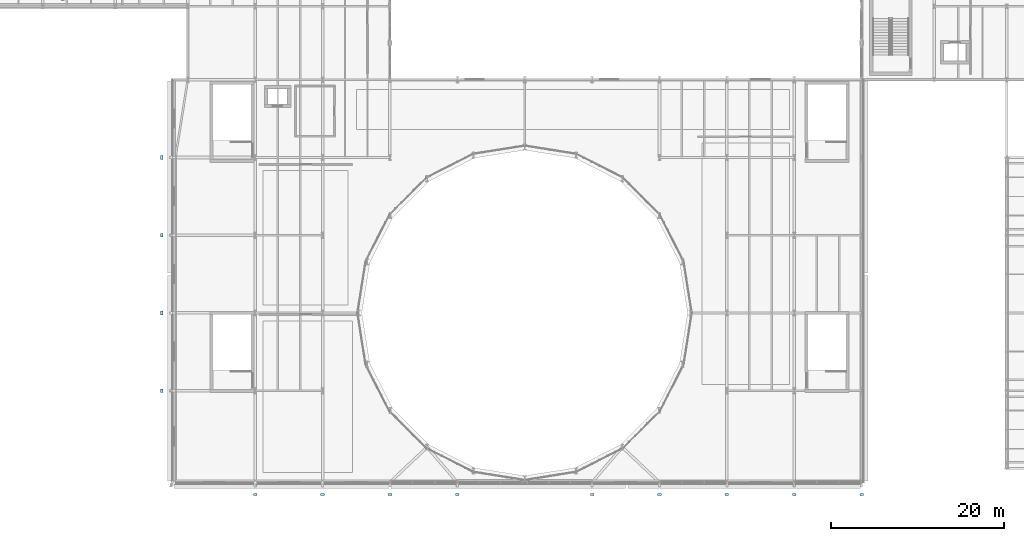
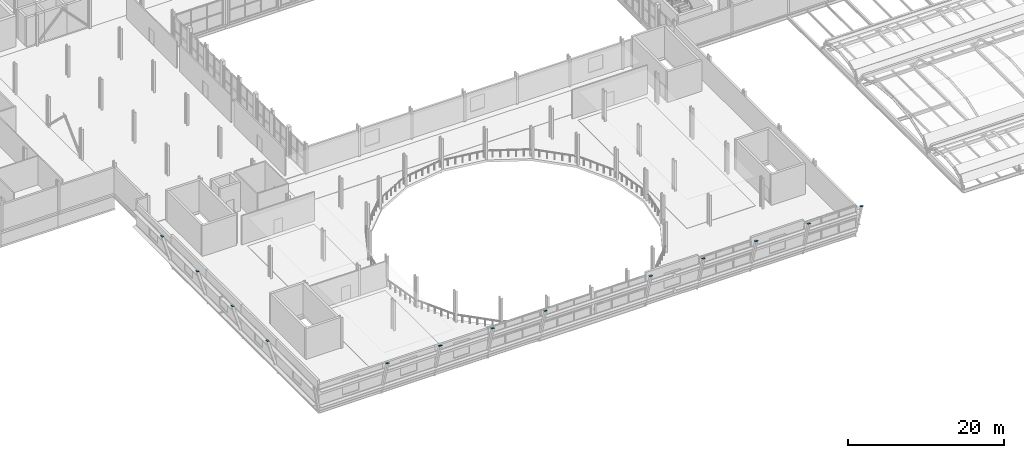
# One storey, part 41 of 63: 13 plates.
"""IFC4 building model written with IfcOpenShell, lengths in metres."""

from ifc_helpers import new_model, si_unit, direction, frame, origin, origin_2d, place, context, subcontext, project, spatial, rectangle, extrude, material, layer, layer_set, type_object, element, save


model = new_model("IFC4")

# Units and contexts
model_context = context("Model", 3, precision=1e-05, world=origin(), true_north=direction((0.0, 1.0)))
body_context = subcontext(model_context, "Body", "Model", "MODEL_VIEW")
ifc_project = project(units=[si_unit("LENGTHUNIT", "METRE"), si_unit("AREAUNIT", "SQUARE_METRE"), si_unit("VOLUMEUNIT", "CUBIC_METRE"), si_unit("PLANEANGLEUNIT", "RADIAN"), si_unit("MASSUNIT", "GRAM", prefix="KILO")], contexts=[model_context])

# Site, building, storey
site_placement = place(None, origin())
site = spatial("IfcSite", under=ifc_project, at=site_placement, CompositionType="ELEMENT")
building_placement = place(site_placement, origin())
building = spatial("IfcBuilding", under=site, at=building_placement, Name="Sefraquen Railside Congress Hotel", CompositionType="ELEMENT")
storey_placement = place(building_placement, frame((0.0, 0.0, 11.39990234375)))
storey = spatial("IfcBuildingStorey", under=building, at=storey_placement, Name="L02", CompositionType="ELEMENT", Elevation=11.39990234375)

# Plates
ifc_material = material(Name="Steel S355J2", Category="steel")
ifc_layer_1 = layer(ifc_material, 0.050048828125)
ifc_layer_set_1 = layer_set([ifc_layer_1], Name="Steel S355J2")
plate_type_1 = type_object("IfcPlateType", Name="TP-BPL-01", PredefinedType="SHEET", material=ifc_layer_set_1)
for number, where, z_axis, x_axis, name in (
    (1, (33.0, 5.978515625, 4.80029296875), (0.0, 0.0, 1.0), (1.0, 0.0, 0.0), "Inclined column end-cap plate S-5"),
    (2, (40.800048828125, 5.978515625, 4.80029296875), (0.0, 0.0, 1.0), (1.0, 0.0, 0.0), "Inclined column end-cap plate S-6"),
    (3, (48.60009765625, 5.978515625, 4.80029296875), (0.0, 0.0, 1.0), (1.0, 0.0, 0.0), "Inclined column end-cap plate S-7"),
    (4, (56.39990234375, 5.978515625, 4.80029296875), (0.0, 0.0, 1.0), (1.0, 0.0, 0.0), "Inclined column end-cap plate S-8"),
    (5, (72.0, 5.978515625, 4.80029296875), (0.0, 0.0, 1.0), (1.0, 0.0, 0.0), "Inclined column end-cap plate S-10"),
    (6, (79.800048828125, 5.978515625, 4.80029296875), (0.0, 0.0, 1.0), (1.0, 0.0, 0.0), "Inclined column end-cap plate S-11"),
    (7, (87.60009765625, 5.978515625, 4.80029296875), (0.0, 0.0, 1.0), (1.0, 0.0, 0.0), "Inclined column end-cap plate S-12"),
    (8, (95.39990234375, 5.978515625, 4.80029296875), (0.0, 0.0, 1.0), (1.0, 0.0, 0.0), "Inclined column end-cap plate S-13"),
    (9, (103.199951171875, 5.978515625, 4.80029296875), (0.0, 0.0, 1.0), (1.0, 0.0, 0.0), "Inclined column end-cap plate S-14"),
):
    element("IfcPlate", number, at=place(storey_placement, frame(where, z_axis=z_axis, x_axis=x_axis)), inside=storey, type_object=plate_type_1, Name=name, PredefinedType="SHEET", context=body_context, shape_type="SweptSolid", body=[
        extrude(rectangle(XDim=0.419921875, YDim=0.260009765625, at=origin_2d()), origin(), (0.0, 0.0, 1.0), 0.013916015625),
    ])
ifc_layer_2 = layer(ifc_material, 0.013916015625)
ifc_layer_set_2 = layer_set([ifc_layer_2], Name="Steel S355J2")
plate_type_2 = type_object("IfcPlateType", Name="TP-CAP-01", PredefinedType="SHEET", material=ifc_layer_set_2)
for number, where, z_axis, x_axis, name in (
    (10, (22.1787109375, 18.0, 4.80029296875), (0.0, 0.0, 1.0), (1.0, 0.0, 0.0), "Inclined column end-cap plate W-C"),
    (11, (22.1787109375, 27.0, 4.80029296875), (0.0, 0.0, 1.0), (1.0, 0.0, 0.0), "Inclined column end-cap plate W-D"),
    (12, (22.1787109375, 36.0, 4.80029296875), (0.0, 0.0, 1.0), (1.0, 0.0, 0.0), "Inclined column end-cap plate W-E"),
    (13, (22.1787109375, 45.0, 4.80029296875), (0.0, 0.0, 1.0), (1.0, 0.0, 0.0), "Inclined column end-cap plate W-F"),
):
    element("IfcPlate", number, at=place(storey_placement, frame(where, z_axis=z_axis, x_axis=x_axis)), inside=storey, type_object=plate_type_2, Name=name, PredefinedType="SHEET", context=body_context, shape_type="SweptSolid", body=[
        extrude(rectangle(XDim=0.260009765625, YDim=0.419921875, at=origin_2d()), origin(), (0.0, 0.0, 1.0), 0.013916015625),
    ])

save(model, "model.ifc")
